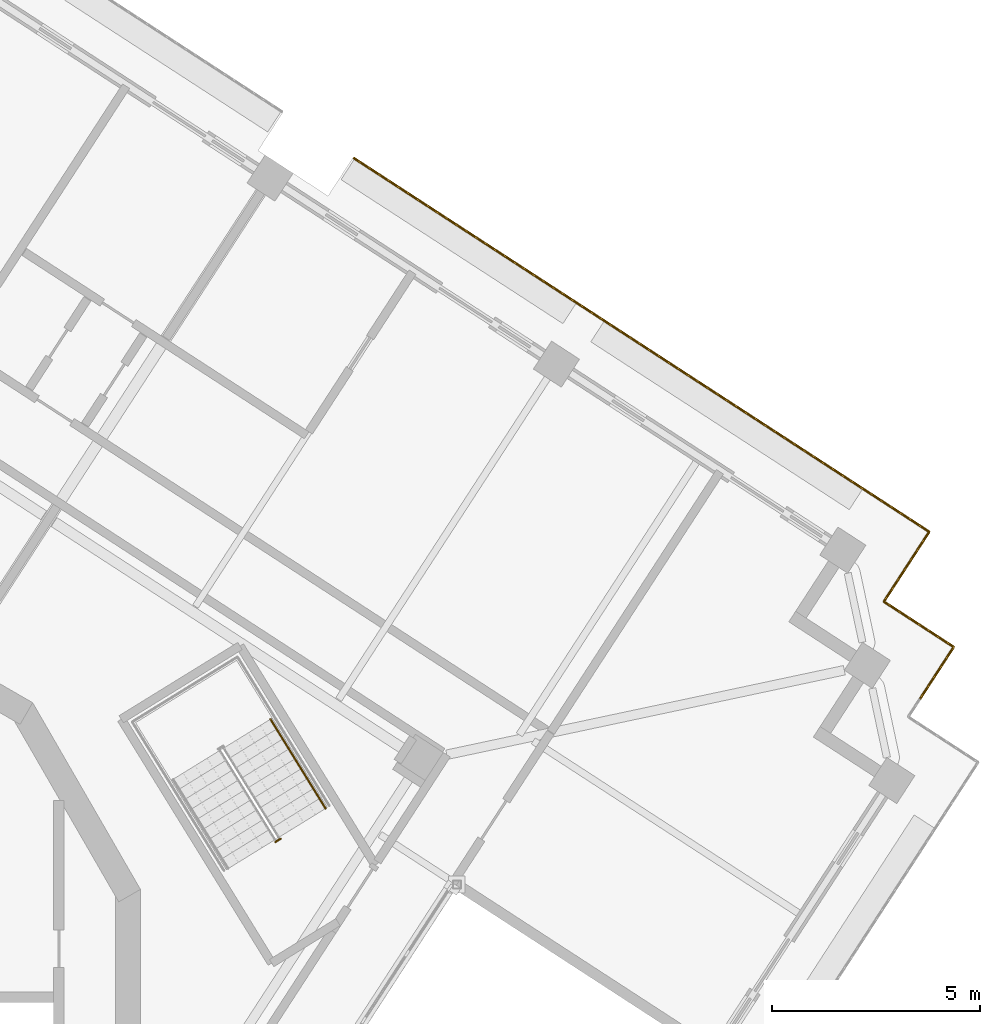
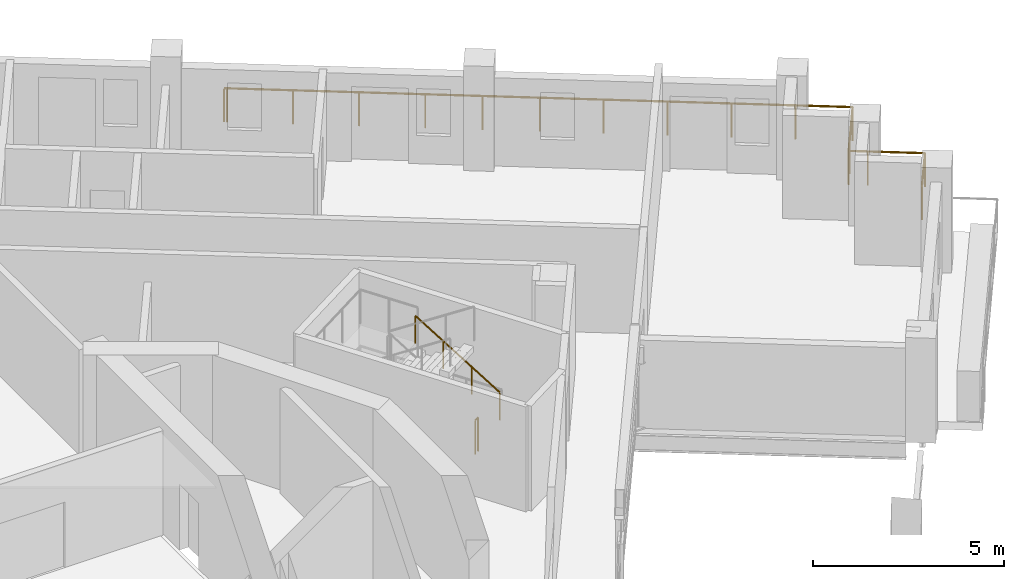
# One storey, part 16 of 17: 3 railings.
"""IFC4 building model written with IfcOpenShell, lengths in metres."""

from ifc_helpers import new_model, si_unit, direction, frame, origin, origin_2d, place, context, subcontext, project, spatial, circle, extrude, material, type_object, element, save


model = new_model("IFC4")

# Units and contexts
model_context = context("Model", 3, precision=1e-05, world=origin(), true_north=direction((0.0, 1.0)))
body_context = subcontext(model_context, "Body", "Model", "MODEL_VIEW")
ifc_project = project(units=[si_unit("LENGTHUNIT", "METRE"), si_unit("AREAUNIT", "SQUARE_METRE"), si_unit("VOLUMEUNIT", "CUBIC_METRE"), si_unit("PLANEANGLEUNIT", "RADIAN"), si_unit("MASSUNIT", "GRAM", prefix="KILO")], contexts=[model_context])

# Site, building, storey
site_placement = place(None, origin())
site = spatial("IfcSite", under=ifc_project, at=site_placement, CompositionType="ELEMENT")
building_placement = place(site_placement, origin())
building = spatial("IfcBuilding", under=site, at=building_placement, Name="Cantera Rosa Tower", CompositionType="ELEMENT")
storey_placement = place(building_placement, frame((0.0, 0.0, 264.89990234375)))
storey = spatial("IfcBuildingStorey", under=building, at=storey_placement, Name="L59", CompositionType="ELEMENT", Elevation=264.89990234375)

# Railings
ifc_material_1 = material(Name="Stainless steel and laminated glass", Category="steel")
railing_type_1 = type_object("IfcRailingType", Name="GUARD 1100", PredefinedType="BALUSTRADE", material=ifc_material_1)
railing_1_placement = place(storey_placement, frame((14.7880859375, 20.14599609375, 0.0)))
element("IfcRailing", 1, at=railing_1_placement, inside=storey, type_object=railing_type_1, Name="GUARD L59-8", PredefinedType="BALUSTRADE", context=body_context, shape_type="SweptSolid", body=[
    extrude(circle(Radius=0.030029296875, at=origin_2d()), frame((0.0, 0.0, 1.070068359375), z_axis=(0.838443616301, -0.544988350595, 0.0), x_axis=(0.544988350595, 0.838443616301, 0.0)), (0.0, 0.0, 1.0), 0.06982421875),
    extrude(circle(Radius=0.030029296875, at=origin_2d()), frame((0.05859375, -0.0380859375, 1.070068359375), z_axis=(0.838657010828, -0.544659910576, 0.0), x_axis=(0.544659910576, 0.838657010828, 0.0)), (0.0, 0.0, 1.0), 5.2001953125),
    extrude(circle(Radius=0.030029296875, at=origin_2d()), frame((4.419677734375, -2.870361328125, 1.070068359375), z_axis=(0.8387001057, -0.544593548161, 0.0), x_axis=(0.544593548161, 0.8387001057, 0.0)), (0.0, 0.0, 1.0), 3.0),
    extrude(circle(Radius=0.030029296875, at=origin_2d()), frame((6.935791015625, -4.504150390625, 1.070068359375), z_axis=(0.838666659313, -0.544645053734, 0.0), x_axis=(0.544645053734, 0.838666659313, 0.0)), (0.0, 0.0, 1.0), 6.7001953125),
    extrude(circle(Radius=0.030029296875, at=origin_2d()), frame((12.554931640625, -8.1533203125, 1.070068359375), z_axis=(0.838651824232, -0.544667896716, 0.0), x_axis=(0.544667896716, 0.838651824232, 0.0)), (0.0, 0.0, 1.0), 1.499755859375),
    extrude(circle(Radius=0.030029296875, at=origin_2d()), frame((13.812744140625, -8.97021484375, 1.070068359375), z_axis=(-0.544593548161, -0.8387001057, 0.0), x_axis=(0.8387001057, -0.544593548161, 0.0)), (0.0, 0.0, 1.0), 1.5),
    extrude(circle(Radius=0.030029296875, at=origin_2d()), frame((12.995849609375, -10.228271484375, 1.070068359375), z_axis=(-0.544627753175, -0.83867789435, 0.0), x_axis=(0.83867789435, -0.544627753175, 0.0)), (0.0, 0.0, 1.0), 0.499755859375),
    extrude(circle(Radius=0.030029296875, at=origin_2d()), frame((12.7236328125, -10.6474609375, 1.070068359375), z_axis=(0.838454772945, -0.544971186143, 0.0), x_axis=(0.544971186143, 0.838454772945, 0.0)), (0.0, 0.0, 1.0), 0.5),
    extrude(circle(Radius=0.030029296875, at=origin_2d()), frame((13.142822265625, -10.919921875, 1.070068359375), z_axis=(0.8387001057, -0.544593548161, 0.0), x_axis=(0.544593548161, 0.8387001057, 0.0)), (0.0, 0.0, 1.0), 1.5),
    extrude(circle(Radius=0.030029296875, at=origin_2d()), frame((14.40087890625, -11.73681640625, 1.070068359375), z_axis=(-0.544593548161, -0.8387001057, 0.0), x_axis=(0.8387001057, -0.544593548161, 0.0)), (0.0, 0.0, 1.0), 1.5),
    extrude(circle(Radius=0.02490234375, at=origin_2d()), origin(), (0.0, 0.0, 1.0), 1.0400390625),
    extrude(circle(Radius=0.02490234375, at=origin_2d()), frame((0.05859375, -0.0380859375, 0.0)), (0.0, 0.0, 1.0), 1.0400390625),
    extrude(circle(Radius=0.02490234375, at=origin_2d()), frame((1.51220703125, -0.982177734375, 0.0)), (0.0, 0.0, 1.0), 1.0400390625),
    extrude(circle(Radius=0.02490234375, at=origin_2d()), frame((2.966064453125, -1.92626953125, 0.0)), (0.0, 0.0, 1.0), 1.0400390625),
    extrude(circle(Radius=0.02490234375, at=origin_2d()), frame((4.419677734375, -2.870361328125, 0.0)), (0.0, 0.0, 1.0), 1.0400390625),
    extrude(circle(Radius=0.02490234375, at=origin_2d()), frame((5.677734375, -3.687255859375, 0.0)), (0.0, 0.0, 1.0), 1.0400390625),
    extrude(circle(Radius=0.02490234375, at=origin_2d()), frame((6.935791015625, -4.504150390625, 0.0)), (0.0, 0.0, 1.0), 1.0400390625),
    extrude(circle(Radius=0.02490234375, at=origin_2d()), frame((8.340576171875, -5.41650390625, 0.0)), (0.0, 0.0, 1.0), 1.0400390625),
    extrude(circle(Radius=0.02490234375, at=origin_2d()), frame((9.745361328125, -6.32861328125, 0.0)), (0.0, 0.0, 1.0), 1.0400390625),
    extrude(circle(Radius=0.02490234375, at=origin_2d()), frame((11.150146484375, -7.240966796875, 0.0)), (0.0, 0.0, 1.0), 1.0400390625),
    extrude(circle(Radius=0.02490234375, at=origin_2d()), frame((12.554931640625, -8.1533203125, 0.0)), (0.0, 0.0, 1.0), 1.0400390625),
    extrude(circle(Radius=0.02490234375, at=origin_2d()), frame((13.812744140625, -8.97021484375, 0.0)), (0.0, 0.0, 1.0), 1.0400390625),
    extrude(circle(Radius=0.02490234375, at=origin_2d()), frame((12.995849609375, -10.228271484375, 0.0)), (0.0, 0.0, 1.0), 1.0400390625),
    extrude(circle(Radius=0.02490234375, at=origin_2d()), frame((12.7236328125, -10.6474609375, 0.0)), (0.0, 0.0, 1.0), 1.0400390625),
    extrude(circle(Radius=0.02490234375, at=origin_2d()), frame((13.142822265625, -10.919921875, 0.0)), (0.0, 0.0, 1.0), 1.0400390625),
    extrude(circle(Radius=0.02490234375, at=origin_2d()), frame((14.40087890625, -11.73681640625, 0.0)), (0.0, 0.0, 1.0), 1.0400390625),
    extrude(circle(Radius=0.02490234375, at=origin_2d()), frame((13.583984375, -12.994873046875, 0.0)), (0.0, 0.0, 1.0), 1.0400390625),
])
ifc_material_2 = material(Name="Steel S355J2 (EN 10025-2)", Category="steel")
railing_type_2 = type_object("IfcRailingType", Name="STAIR GUARD 1100", PredefinedType="GUARDRAIL", material=ifc_material_2)
railing_2_placement = place(storey_placement, frame((13.025146484375, 3.80517578125, 0.0)))
element("IfcRailing", 2, at=railing_2_placement, inside=storey, type_object=railing_type_2, Name="L59 ST-51 stair guard 3", PredefinedType="GUARDRAIL", context=body_context, shape_type="SweptSolid", body=[
    extrude(circle(Radius=0.02392578125, at=origin_2d()), frame((0.0, 0.0, 1.076171875), z_axis=(-0.851546489876, -0.524279100842, 0.0), x_axis=(0.524279100842, -0.851546489876, 0.0)), (0.0, 0.0, 1.0), 0.14990234375),
    extrude(circle(Radius=0.02099609375, at=origin_2d()), origin(), (0.0, 0.0, 1.0), 1.052001953125),
    extrude(circle(Radius=0.02099609375, at=origin_2d()), frame((-0.127685546875, -0.07861328125, 0.0)), (0.0, 0.0, 1.0), 1.052001953125),
])
ifc_material_3 = material(Name="Steel S355J2 (EN 10025-2)", Category="steel")
railing_type_3 = type_object("IfcRailingType", Name="STAIR HANDRAIL 900", PredefinedType="HANDRAIL", material=ifc_material_3)
railing_3_placement = place(storey_placement, frame((14.105224609375, 4.5302734375, 0.18017578125)))
element("IfcRailing", 3, at=railing_3_placement, inside=storey, type_object=railing_type_3, Name="L59 ST-51 stair handrail 1", PredefinedType="HANDRAIL", context=body_context, shape_type="SweptSolid", body=[
    extrude(circle(Radius=0.02392578125, at=origin_2d()), frame((0.0, 0.0, 0.8759765625), z_axis=(-0.441628529057, 0.715945124149, 0.540728047664), x_axis=(-0.851102330005, -0.524999832248, 0.0)), (0.0, 0.0, 1.0), 2.99560546875),
    extrude(circle(Radius=0.02099609375, at=origin_2d()), origin(), (0.0, 0.0, 1.0), 0.851806640625),
    extrude(circle(Radius=0.02099609375, at=origin_2d()), frame((-0.44091796875, 0.71484375, 0.5400390625)), (0.0, 0.0, 1.0), 0.851806640625),
    extrude(circle(Radius=0.02099609375, at=origin_2d()), frame((-0.882080078125, 1.429931640625, 1.079833984375)), (0.0, 0.0, 1.0), 0.851806640625),
    extrude(circle(Radius=0.02099609375, at=origin_2d()), frame((-1.322998046875, 2.144775390625, 1.619873046875)), (0.0, 0.0, 1.0), 0.851806640625),
])

save(model, "model.ifc")
